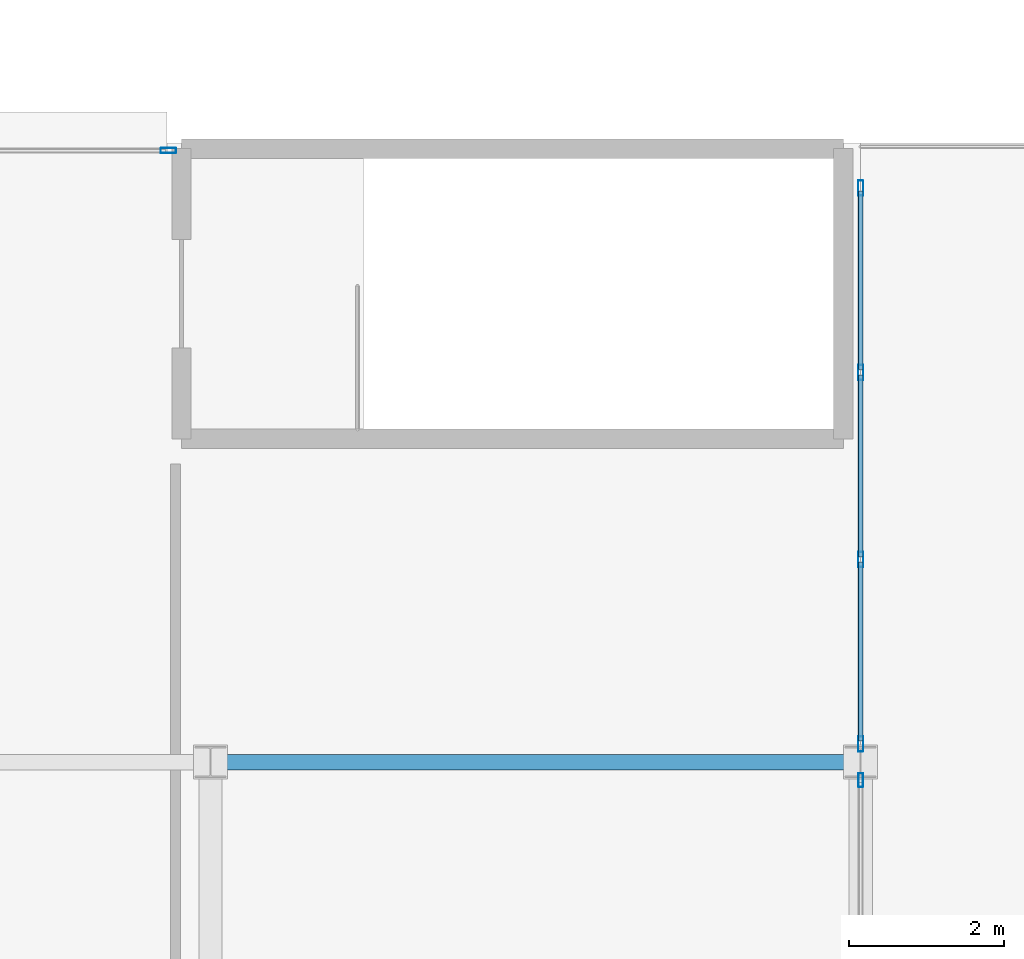
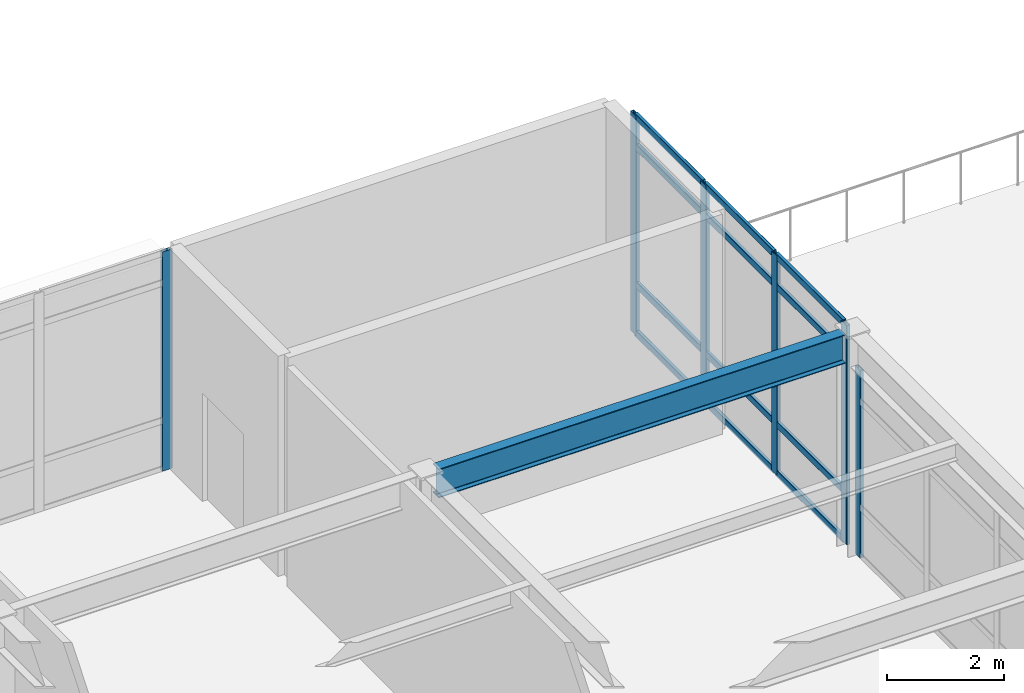
# One storey, part 14 of 61: 18 members, 1 beam, 3 elements without a shape of their own.
"""IFC4 building model written with IfcOpenShell, lengths in metres."""

from ifc_helpers import new_model, si_unit, direction, frame, origin, origin_2d, place, context, subcontext, project, spatial, hollow_rectangle, i_section, extrude, material, layer, layer_set, material_profile, profile_set, type_object, element, aggregate, save


model = new_model("IFC4")

# Units and contexts
model_context = context("Model", 3, precision=1e-05, world=origin(), true_north=direction((0.0, 1.0)))
body_context = subcontext(model_context, "Body", "Model", "MODEL_VIEW")
ifc_project = project(units=[si_unit("LENGTHUNIT", "METRE"), si_unit("AREAUNIT", "SQUARE_METRE"), si_unit("VOLUMEUNIT", "CUBIC_METRE"), si_unit("PLANEANGLEUNIT", "RADIAN"), si_unit("MASSUNIT", "GRAM", prefix="KILO")], contexts=[model_context])

# Site, building, storey
site_placement = place(None, origin())
site = spatial("IfcSite", under=ifc_project, at=site_placement, CompositionType="ELEMENT")
building_placement = place(site_placement, origin())
building = spatial("IfcBuilding", under=site, at=building_placement, Name="Kazehara Bluff Congress Hotel", CompositionType="ELEMENT")
storey_placement = place(building_placement, frame((0.0, 0.0, 19.800048828125)))
storey = spatial("IfcBuildingStorey", under=building, at=storey_placement, Name="L04", CompositionType="ELEMENT", Elevation=19.800048828125)

# Curtain wall, member
ifc_material_1 = material(Name="Anodised aluminium", Category="aluminium")
ifc_layer_1 = layer(ifc_material_1, 0.159912109375)
ifc_layer_set_1 = layer_set([ifc_layer_1], Name="Anodised aluminium")
curtain_wall_type_1 = type_object("IfcCurtainWallType", Name="TP-CW-65", PredefinedType="NOTDEFINED", material=ifc_layer_set_1)
curtain_wall_1_placement = place(storey_placement, origin())
curtain_wall_1 = element("IfcCurtainWall", 1, at=curtain_wall_1_placement, inside=storey, type_object=curtain_wall_type_1, Name="L04 curtain wall CW-65 CW-V4-L04-X8445-4110", PredefinedType="NOTDEFINED")
ifc_material_2 = material(Name="Anodised aluminium", Category="aluminium")
ifc_material_profile_1 = material_profile(ifc_material_2, hollow_rectangle(XDim=0.06494140625, YDim=0.179931640625, WallThickness=0.00390625, InnerFilletRadius=0.00390625, OuterFilletRadius=0.008056640625, at=origin_2d()))
ifc_profile_set_1 = profile_set([ifc_material_profile_1], Name="Anodised aluminium")
member_type_1 = type_object("IfcMemberType", Name="TP-CWM-02", PredefinedType="MULLION", material=ifc_profile_set_1)
member_1_placement = place(storey_placement, frame((84.449951171875, 48.217529296875, 0.0), z_axis=(0.0, 0.0, 1.0), x_axis=(-1.0, 0.0, 0.0)))
member_1 = element("IfcMember", 2, at=member_1_placement, type_object=member_type_1, Name="CW-65 mullion 4", PredefinedType="MULLION", context=body_context, shape_type="SweptSolid", body=[
    extrude(hollow_rectangle(XDim=0.06494140625, YDim=0.179931640625, WallThickness=0.00390625, InnerFilletRadius=0.00390625, OuterFilletRadius=0.008056640625, at=origin_2d()), origin(), (0.0, 0.0, 1.0), 3.905029296875),
])
aggregate(curtain_wall_1, [member_1])

# Curtain wall, members
ifc_material_3 = material(Name="Anodised aluminium", Category="aluminium")
ifc_layer_2 = layer(ifc_material_3, 0.159912109375)
ifc_layer_set_2 = layer_set([ifc_layer_2], Name="Anodised aluminium")
curtain_wall_type_2 = type_object("IfcCurtainWallType", Name="TP-CW-66", PredefinedType="NOTDEFINED", material=ifc_layer_set_2)
curtain_wall_2_placement = place(storey_placement, origin())
curtain_wall_2 = element("IfcCurtainWall", 3, at=curtain_wall_2_placement, inside=storey, type_object=curtain_wall_type_2, Name="L04 curtain wall CW-66 CW-V4-L04-X8445-4865", PredefinedType="NOTDEFINED")
ifc_material_4 = material(Name="Anodised aluminium", Category="aluminium")
ifc_material_profile_2 = material_profile(ifc_material_4, hollow_rectangle(XDim=0.070068359375, YDim=0.199951171875, WallThickness=0.0048828125, InnerFilletRadius=0.0048828125, OuterFilletRadius=0.010009765625, at=origin_2d()))
ifc_profile_set_2 = profile_set([ifc_material_profile_2], Name="Anodised aluminium")
member_type_2 = type_object("IfcMemberType", Name="TP-CWM-03", PredefinedType="MULLION", material=ifc_profile_set_2)
member_2_placement = place(storey_placement, frame((84.449951171875, 48.68505859375, 0.0), z_axis=(0.0, 0.0, 1.0), x_axis=(-1.0, 0.0, 0.0)))
member_2 = element("IfcMember", 4, at=member_2_placement, type_object=member_type_2, Name="CW-66 mullion 1", PredefinedType="MULLION", context=body_context, shape_type="SweptSolid", body=[
    extrude(hollow_rectangle(XDim=0.070068359375, YDim=0.199951171875, WallThickness=0.0048828125, InnerFilletRadius=0.0048828125, OuterFilletRadius=0.010009765625, at=origin_2d()), origin(), (0.0, 0.0, 1.0), 4.56494140625),
])
member_3_placement = place(storey_placement, frame((84.449951171875, 51.066650390625, 0.0), z_axis=(0.0, 0.0, 1.0), x_axis=(-1.0, 0.0, 0.0)))
member_3 = element("IfcMember", 5, at=member_3_placement, type_object=member_type_2, Name="CW-66 mullion 2", PredefinedType="MULLION", context=body_context, shape_type="SweptSolid", body=[
    extrude(hollow_rectangle(XDim=0.070068359375, YDim=0.199951171875, WallThickness=0.0048828125, InnerFilletRadius=0.0048828125, OuterFilletRadius=0.010009765625, at=origin_2d()), origin(), (0.0, 0.0, 1.0), 4.56494140625),
])
member_4_placement = place(storey_placement, frame((84.449951171875, 53.4833984375, 0.0), z_axis=(0.0, 0.0, 1.0), x_axis=(-1.0, 0.0, 0.0)))
member_4 = element("IfcMember", 6, at=member_4_placement, type_object=member_type_2, Name="CW-66 mullion 3", PredefinedType="MULLION", context=body_context, shape_type="SweptSolid", body=[
    extrude(hollow_rectangle(XDim=0.070068359375, YDim=0.199951171875, WallThickness=0.0048828125, InnerFilletRadius=0.0048828125, OuterFilletRadius=0.010009765625, at=origin_2d()), origin(), (0.0, 0.0, 1.0), 4.56494140625),
])
member_5_placement = place(storey_placement, frame((84.449951171875, 55.864990234375, 0.0), z_axis=(0.0, 0.0, 1.0), x_axis=(-1.0, 0.0, 0.0)))
member_5 = element("IfcMember", 7, at=member_5_placement, type_object=member_type_2, Name="CW-66 mullion 4", PredefinedType="MULLION", context=body_context, shape_type="SweptSolid", body=[
    extrude(hollow_rectangle(XDim=0.070068359375, YDim=0.199951171875, WallThickness=0.0048828125, InnerFilletRadius=0.0048828125, OuterFilletRadius=0.010009765625, at=origin_2d()), origin(), (0.0, 0.0, 1.0), 4.56494140625),
])

# Curtain wall, member
ifc_material_5 = material(Name="Anodised aluminium", Category="aluminium")
ifc_layer_3 = layer(ifc_material_5, 0.159912109375)
ifc_layer_set_3 = layer_set([ifc_layer_3], Name="Anodised aluminium")
curtain_wall_type_3 = type_object("IfcCurtainWallType", Name="TP-CW-157", PredefinedType="NOTDEFINED", material=ifc_layer_set_3)
curtain_wall_3_placement = place(storey_placement, origin())
curtain_wall_3 = element("IfcCurtainWall", 8, at=curtain_wall_3_placement, inside=storey, type_object=curtain_wall_type_3, Name="L04 curtain wall CW-157 CW-ENC-V4-L04-7169-5635", PredefinedType="NOTDEFINED")
member_6_placement = place(storey_placement, frame((75.5048828125, 56.35009765625, 0.0), z_axis=(0.0, 0.0, 1.0), x_axis=(0.0, 1.0, 0.0)))
member_6 = element("IfcMember", 9, at=member_6_placement, type_object=member_type_2, Name="CW-157 mullion 4", PredefinedType="MULLION", context=body_context, shape_type="SweptSolid", body=[
    extrude(hollow_rectangle(XDim=0.070068359375, YDim=0.199951171875, WallThickness=0.0048828125, InnerFilletRadius=0.0048828125, OuterFilletRadius=0.010009765625, at=origin_2d()), origin(), (0.0, 0.0, 1.0), 4.56494140625),
])
aggregate(curtain_wall_3, [member_6])

# Member
ifc_material_6 = material(Name="Anodised aluminium", Category="aluminium")
ifc_material_profile_3 = material_profile(ifc_material_6, hollow_rectangle(XDim=0.06494140625, YDim=0.139892578125, WallThickness=0.00390625, InnerFilletRadius=0.00390625, OuterFilletRadius=0.008056640625, at=origin_2d()))
ifc_profile_set_3 = profile_set([ifc_material_profile_3], Name="Anodised aluminium")
member_type_3 = type_object("IfcMemberType", Name="TP-CWT-02", PredefinedType="USERDEFINED", material=ifc_profile_set_3)
member_7_placement = place(storey_placement, frame((84.449951171875, 48.719970703125, 0.032470703125), z_axis=(0.0, 1.0, 0.0), x_axis=(-1.0, 0.0, 0.0)))
member_7 = element("IfcMember", 10, at=member_7_placement, type_object=member_type_3, Name="CW-66 transom 1.1", ObjectType="TRANSOM", PredefinedType="USERDEFINED", context=body_context, shape_type="SweptSolid", body=[
    extrude(hollow_rectangle(XDim=0.06494140625, YDim=0.139892578125, WallThickness=0.00390625, InnerFilletRadius=0.00390625, OuterFilletRadius=0.008056640625, at=origin_2d()), origin(), (0.0, 0.0, 1.0), 2.311767578125),
])

member_8_placement = place(storey_placement, frame((84.449951171875, 48.719970703125, 1.050048828125), z_axis=(0.0, 1.0, 0.0), x_axis=(-1.0, 0.0, 0.0)))
member_8 = element("IfcMember", 11, at=member_8_placement, type_object=member_type_3, Name="CW-66 transom 1.2", ObjectType="TRANSOM", PredefinedType="USERDEFINED", context=body_context, shape_type="SweptSolid", body=[
    extrude(hollow_rectangle(XDim=0.06494140625, YDim=0.139892578125, WallThickness=0.00390625, InnerFilletRadius=0.00390625, OuterFilletRadius=0.008056640625, at=origin_2d()), origin(), (0.0, 0.0, 1.0), 2.311767578125),
])

member_9_placement = place(storey_placement, frame((84.449951171875, 48.719970703125, 3.9150390625), z_axis=(0.0, 1.0, 0.0), x_axis=(-1.0, 0.0, 0.0)))
member_9 = element("IfcMember", 12, at=member_9_placement, type_object=member_type_3, Name="CW-66 transom 1.3", ObjectType="TRANSOM", PredefinedType="USERDEFINED", context=body_context, shape_type="SweptSolid", body=[
    extrude(hollow_rectangle(XDim=0.06494140625, YDim=0.139892578125, WallThickness=0.00390625, InnerFilletRadius=0.00390625, OuterFilletRadius=0.008056640625, at=origin_2d()), origin(), (0.0, 0.0, 1.0), 2.311767578125),
])

member_10_placement = place(storey_placement, frame((84.449951171875, 48.719970703125, 4.532470703125), z_axis=(0.0, 1.0, 0.0), x_axis=(-1.0, 0.0, 0.0)))
member_10 = element("IfcMember", 13, at=member_10_placement, type_object=member_type_3, Name="CW-66 transom 1.4", ObjectType="TRANSOM", PredefinedType="USERDEFINED", context=body_context, shape_type="SweptSolid", body=[
    extrude(hollow_rectangle(XDim=0.06494140625, YDim=0.139892578125, WallThickness=0.00390625, InnerFilletRadius=0.00390625, OuterFilletRadius=0.008056640625, at=origin_2d()), origin(), (0.0, 0.0, 1.0), 2.311767578125),
])

member_11_placement = place(storey_placement, frame((84.449951171875, 51.1015625, 0.032470703125), z_axis=(0.0, 1.0, 0.0), x_axis=(-1.0, 0.0, 0.0)))
member_11 = element("IfcMember", 14, at=member_11_placement, type_object=member_type_3, Name="CW-66 transom 2.1", ObjectType="TRANSOM", PredefinedType="USERDEFINED", context=body_context, shape_type="SweptSolid", body=[
    extrude(hollow_rectangle(XDim=0.06494140625, YDim=0.139892578125, WallThickness=0.00390625, InnerFilletRadius=0.00390625, OuterFilletRadius=0.008056640625, at=origin_2d()), origin(), (0.0, 0.0, 1.0), 2.3466796875),
])

member_12_placement = place(storey_placement, frame((84.449951171875, 51.1015625, 1.050048828125), z_axis=(0.0, 1.0, 0.0), x_axis=(-1.0, 0.0, 0.0)))
member_12 = element("IfcMember", 15, at=member_12_placement, type_object=member_type_3, Name="CW-66 transom 2.2", ObjectType="TRANSOM", PredefinedType="USERDEFINED", context=body_context, shape_type="SweptSolid", body=[
    extrude(hollow_rectangle(XDim=0.06494140625, YDim=0.139892578125, WallThickness=0.00390625, InnerFilletRadius=0.00390625, OuterFilletRadius=0.008056640625, at=origin_2d()), origin(), (0.0, 0.0, 1.0), 2.3466796875),
])

member_13_placement = place(storey_placement, frame((84.449951171875, 51.1015625, 3.9150390625), z_axis=(0.0, 1.0, 0.0), x_axis=(-1.0, 0.0, 0.0)))
member_13 = element("IfcMember", 16, at=member_13_placement, type_object=member_type_3, Name="CW-66 transom 2.3", ObjectType="TRANSOM", PredefinedType="USERDEFINED", context=body_context, shape_type="SweptSolid", body=[
    extrude(hollow_rectangle(XDim=0.06494140625, YDim=0.139892578125, WallThickness=0.00390625, InnerFilletRadius=0.00390625, OuterFilletRadius=0.008056640625, at=origin_2d()), origin(), (0.0, 0.0, 1.0), 2.3466796875),
])

member_14_placement = place(storey_placement, frame((84.449951171875, 51.1015625, 4.532470703125), z_axis=(0.0, 1.0, 0.0), x_axis=(-1.0, 0.0, 0.0)))
member_14 = element("IfcMember", 17, at=member_14_placement, type_object=member_type_3, Name="CW-66 transom 2.4", ObjectType="TRANSOM", PredefinedType="USERDEFINED", context=body_context, shape_type="SweptSolid", body=[
    extrude(hollow_rectangle(XDim=0.06494140625, YDim=0.139892578125, WallThickness=0.00390625, InnerFilletRadius=0.00390625, OuterFilletRadius=0.008056640625, at=origin_2d()), origin(), (0.0, 0.0, 1.0), 2.3466796875),
])

member_15_placement = place(storey_placement, frame((84.449951171875, 53.518310546875, 0.032470703125), z_axis=(0.0, 1.0, 0.0), x_axis=(-1.0, 0.0, 0.0)))
member_15 = element("IfcMember", 18, at=member_15_placement, type_object=member_type_3, Name="CW-66 transom 3.1", ObjectType="TRANSOM", PredefinedType="USERDEFINED", context=body_context, shape_type="SweptSolid", body=[
    extrude(hollow_rectangle(XDim=0.06494140625, YDim=0.139892578125, WallThickness=0.00390625, InnerFilletRadius=0.00390625, OuterFilletRadius=0.008056640625, at=origin_2d()), origin(), (0.0, 0.0, 1.0), 2.311767578125),
])

member_16_placement = place(storey_placement, frame((84.449951171875, 53.518310546875, 1.050048828125), z_axis=(0.0, 1.0, 0.0), x_axis=(-1.0, 0.0, 0.0)))
member_16 = element("IfcMember", 19, at=member_16_placement, type_object=member_type_3, Name="CW-66 transom 3.2", ObjectType="TRANSOM", PredefinedType="USERDEFINED", context=body_context, shape_type="SweptSolid", body=[
    extrude(hollow_rectangle(XDim=0.06494140625, YDim=0.139892578125, WallThickness=0.00390625, InnerFilletRadius=0.00390625, OuterFilletRadius=0.008056640625, at=origin_2d()), origin(), (0.0, 0.0, 1.0), 2.311767578125),
])

member_17_placement = place(storey_placement, frame((84.449951171875, 53.518310546875, 3.9150390625), z_axis=(0.0, 1.0, 0.0), x_axis=(-1.0, 0.0, 0.0)))
member_17 = element("IfcMember", 20, at=member_17_placement, type_object=member_type_3, Name="CW-66 transom 3.3", ObjectType="TRANSOM", PredefinedType="USERDEFINED", context=body_context, shape_type="SweptSolid", body=[
    extrude(hollow_rectangle(XDim=0.06494140625, YDim=0.139892578125, WallThickness=0.00390625, InnerFilletRadius=0.00390625, OuterFilletRadius=0.008056640625, at=origin_2d()), origin(), (0.0, 0.0, 1.0), 2.311767578125),
])

member_18_placement = place(storey_placement, frame((84.449951171875, 53.518310546875, 4.532470703125), z_axis=(0.0, 1.0, 0.0), x_axis=(-1.0, 0.0, 0.0)))
member_18 = element("IfcMember", 21, at=member_18_placement, type_object=member_type_3, Name="CW-66 transom 3.4", ObjectType="TRANSOM", PredefinedType="USERDEFINED", context=body_context, shape_type="SweptSolid", body=[
    extrude(hollow_rectangle(XDim=0.06494140625, YDim=0.139892578125, WallThickness=0.00390625, InnerFilletRadius=0.00390625, OuterFilletRadius=0.008056640625, at=origin_2d()), origin(), (0.0, 0.0, 1.0), 2.311767578125),
])

aggregate(curtain_wall_2, [member_2, member_3, member_4, member_5, member_7, member_8, member_9, member_10, member_11, member_12, member_13, member_14, member_15, member_16, member_17, member_18])

# Beam
ifc_material_7 = material(Name="Steel SN490B", Category="steel")
ifc_material_profile_4 = material_profile(ifc_material_7, i_section(OverallWidth=0.199951171875, OverallDepth=0.60009765625, WebThickness=0.010986328125, FlangeThickness=0.01708984375, FilletRadius=0.012939453125, at=origin_2d()))
ifc_profile_set_4 = profile_set([ifc_material_profile_4], Name="Steel SN490B")
beam_type = type_object("IfcBeamType", Name="TP-SP-02", PredefinedType="SPANDREL", material=ifc_profile_set_4)
beam_placement = place(storey_placement, frame((76.25, 48.449951171875, 4.280029296875), z_axis=(1.0, 0.0, 0.0), x_axis=(0.0, 1.0, 0.0)))
element("IfcBeam", 22, at=beam_placement, inside=storey, type_object=beam_type, Name="L04 girder SP-02 29", PredefinedType="SPANDREL", context=body_context, shape_type="SweptSolid", body=[
    extrude(i_section(OverallWidth=0.199951171875, OverallDepth=0.60009765625, WebThickness=0.010986328125, FlangeThickness=0.01708984375, FilletRadius=0.012939453125, at=origin_2d()), origin(), (0.0, 0.0, 1.0), 8.0),
])

save(model, "model.ifc")
